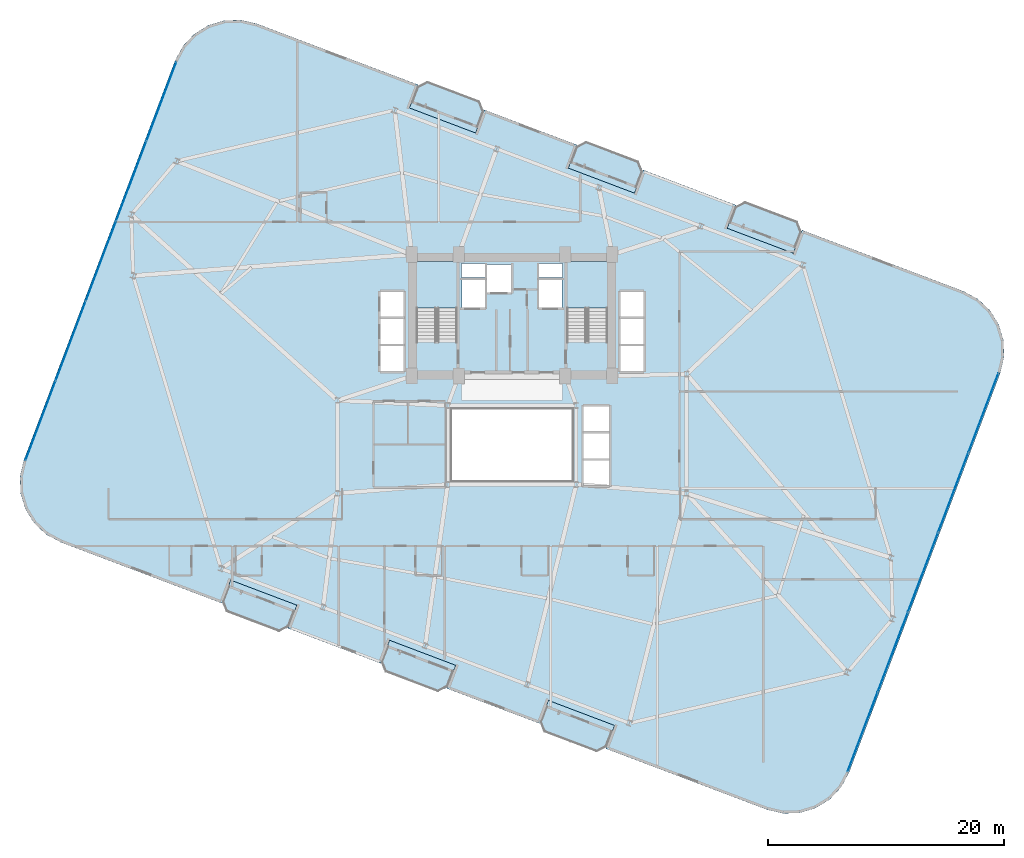
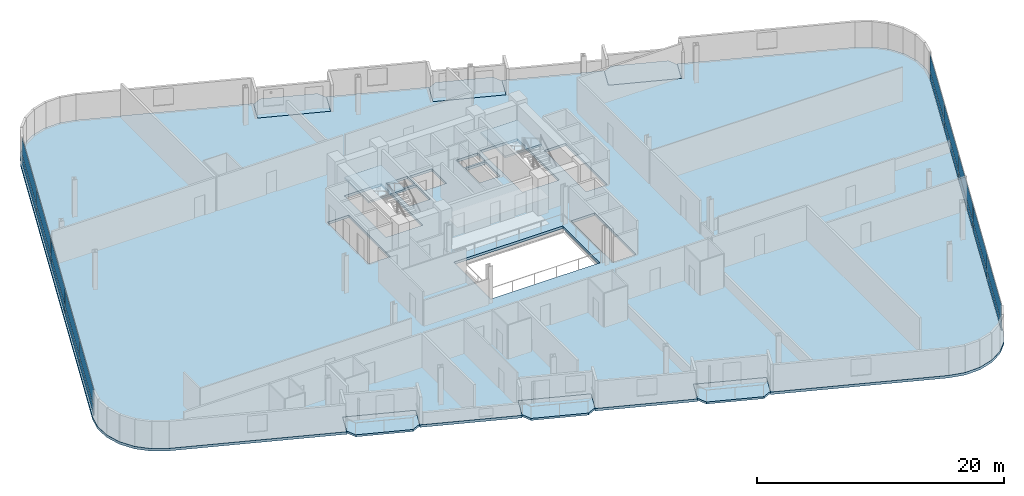
# One storey, part 17 of 25: 20 plates, 9 slabs, 4 elements without a shape of their own.
"""IFC4 building model written with IfcOpenShell, lengths in metres."""

from ifc_helpers import new_model, si_unit, direction, frame, origin, origin_2d, place, context, subcontext, project, spatial, polyline, rectangle, outline, extrude, source, transform, mapped, material, layer, layer_set, type_object, element, aggregate, save


model = new_model("IFC4")

# Units and contexts
model_context = context("Model", 3, precision=1e-05, world=origin(), true_north=direction((0.0, 1.0)))
body_context = subcontext(model_context, "Body", "Model", "MODEL_VIEW")
ifc_project = project(units=[si_unit("LENGTHUNIT", "METRE"), si_unit("AREAUNIT", "SQUARE_METRE"), si_unit("VOLUMEUNIT", "CUBIC_METRE"), si_unit("PLANEANGLEUNIT", "RADIAN"), si_unit("MASSUNIT", "GRAM", prefix="KILO")], contexts=[model_context])

# Site, building, storey
site_placement = place(None, origin())
site = spatial("IfcSite", under=ifc_project, at=site_placement, CompositionType="ELEMENT")
building_placement = place(site_placement, origin())
building = spatial("IfcBuilding", under=site, at=building_placement, Name="Varnelok Gate Tower", CompositionType="ELEMENT")
storey_placement = place(building_placement, frame((0.0, 0.0, 113.199951171875)))
storey = spatial("IfcBuildingStorey", under=building, at=storey_placement, Name="L28", CompositionType="ELEMENT", Elevation=113.199951171875)

# Slabs
ifc_material_1 = material(Name="Concrete C45/55", Category="concrete")
ifc_layer_1 = layer(ifc_material_1, 0.199951171875)
ifc_layer_set_1 = layer_set([ifc_layer_1], Name="Concrete C45/55")
slab_type_1 = type_object("IfcSlabType", Name="SLB-BALC-200", PredefinedType="FLOOR", material=ifc_layer_set_1)
slab_1_placement = place(storey_placement, frame((0.0, 0.0, -0.199951171875)))
element("IfcSlab", 1, at=slab_1_placement, inside=storey, type_object=slab_type_1, Name="L28 South Hollow Balcony 1", PredefinedType="FLOOR", context=body_context, shape_type="SweptSolid", body=[
    extrude(outline(polyline([(14.64208984375, 9.576416015625), (15.019775390625, 8.738525390625), (19.415283203125, 7.074462890625), (20.25341796875, 7.4521484375), (20.96142578125, 9.322509765625), (15.35009765625, 11.447021484375), (14.64208984375, 9.576416015625)])), origin(), (0.0, 0.0, 1.0), 0.199951171875),
])
slab_2_placement = place(storey_placement, frame((0.0, 0.0, -0.199951171875)))
element("IfcSlab", 2, at=slab_2_placement, inside=storey, type_object=slab_type_1, Name="L28 South Hollow Balcony 2", PredefinedType="FLOOR", context=body_context, shape_type="SweptSolid", body=[
    extrude(outline(polyline([(28.109375, 4.47802734375), (28.487060546875, 3.639892578125), (32.882568359375, 1.975830078125), (33.720703125, 2.353515625), (34.4287109375, 4.22412109375), (28.8173828125, 6.348388671875), (28.109375, 4.47802734375)])), origin(), (0.0, 0.0, 1.0), 0.199951171875),
])
slab_3_placement = place(storey_placement, frame((0.0, 0.0, -0.199951171875)))
element("IfcSlab", 3, at=slab_3_placement, inside=storey, type_object=slab_type_1, Name="L28 South Hollow Balcony 3", PredefinedType="FLOOR", context=body_context, shape_type="SweptSolid", body=[
    extrude(outline(polyline([(41.576416015625, -0.62060546875), (41.9541015625, -1.45849609375), (46.349853515625, -3.12255859375), (47.187744140625, -2.744873046875), (47.89599609375, -0.87451171875), (42.28466796875, 1.25), (41.576416015625, -0.62060546875)])), origin(), (0.0, 0.0, 1.0), 0.199951171875),
])
slab_4_placement = place(storey_placement, frame((0.0, 0.0, -0.199951171875)))
element("IfcSlab", 4, at=slab_4_placement, inside=storey, type_object=slab_type_1, Name="L28 North Hollow Balcony 1", PredefinedType="FLOOR", context=body_context, shape_type="SweptSolid", body=[
    extrude(outline(polyline([(30.504150390625, 51.474365234375), (36.115478515625, 49.35009765625), (36.823486328125, 51.220458984375), (36.44580078125, 52.05859375), (32.05029296875, 53.72265625), (31.212158203125, 53.344970703125), (30.504150390625, 51.474365234375)])), origin(), (0.0, 0.0, 1.0), 0.199951171875),
])
slab_5_placement = place(storey_placement, frame((0.0, 0.0, -0.199951171875)))
element("IfcSlab", 5, at=slab_5_placement, inside=storey, type_object=slab_type_1, Name="L28 North Hollow Balcony 2", PredefinedType="FLOOR", context=body_context, shape_type="SweptSolid", body=[
    extrude(outline(polyline([(43.97119140625, 46.3759765625), (49.58251953125, 44.251708984375), (50.290771484375, 46.1220703125), (49.9130859375, 46.9599609375), (45.517333984375, 48.6240234375), (44.679443359375, 48.246337890625), (43.97119140625, 46.3759765625)])), origin(), (0.0, 0.0, 1.0), 0.199951171875),
])
slab_6_placement = place(storey_placement, frame((0.0, 0.0, -0.199951171875)))
element("IfcSlab", 6, at=slab_6_placement, inside=storey, type_object=slab_type_1, Name="L28 North Hollow Balcony 3", PredefinedType="FLOOR", context=body_context, shape_type="SweptSolid", body=[
    extrude(outline(polyline([(57.4384765625, 41.27734375), (63.0498046875, 39.153076171875), (63.7578125, 41.0234375), (63.380126953125, 41.861572265625), (58.984619140625, 43.525634765625), (58.146484375, 43.14794921875), (57.4384765625, 41.27734375)])), origin(), (0.0, 0.0, 1.0), 0.199951171875),
])

# Stair, slab
ifc_material_2 = material(Name="Concrete C50/60", Category="concrete")
stair_type = type_object("IfcStairType", Name="STR-CORE-1650", PredefinedType="HALF_TURN_STAIR", material=ifc_material_2)
stair_1_placement = place(storey_placement, origin())
stair_1 = element("IfcStair", 7, at=stair_1_placement, inside=storey, type_object=stair_type, Name="L28 Exit Stair ST-1", PredefinedType="HALF_TURN_STAIR")
ifc_layer_2 = layer(ifc_material_1, 0.199951171875)
ifc_layer_set_2 = layer_set([ifc_layer_2], Name="Concrete C45/55")
slab_type_2 = type_object("IfcSlabType", Name="SLB-LAND-200", PredefinedType="LANDING", material=ifc_layer_set_2)
slab_7_placement = place(storey_placement, frame((0.0, 0.0, 1.650146484375)))
slab_7 = element("IfcSlab", 8, at=slab_7_placement, type_object=slab_type_2, Name="ST-1 landing 1", PredefinedType="LANDING", context=body_context, shape_type="SweptSolid", body=[
    extrude(outline(polyline([(34.550048828125, 34.5), (34.550048828125, 38.449951171875), (31.10009765625, 38.449951171875), (31.10009765625, 34.5), (34.550048828125, 34.5)])), origin(), (0.0, 0.0, 1.0), 0.199951171875),
])
aggregate(stair_1, [slab_7])

stair_2_placement = place(storey_placement, origin())
stair_2 = element("IfcStair", 9, at=stair_2_placement, inside=storey, type_object=stair_type, Name="L28 Exit Stair ST-2", PredefinedType="HALF_TURN_STAIR")
slab_8_placement = place(storey_placement, frame((0.0, 0.0, 1.650146484375)))
slab_8 = element("IfcSlab", 10, at=slab_8_placement, type_object=slab_type_2, Name="ST-2 landing 1", PredefinedType="LANDING", context=body_context, shape_type="SweptSolid", body=[
    extrude(outline(polyline([(47.300048828125, 34.5), (47.300048828125, 38.449951171875), (43.85009765625, 38.449951171875), (43.85009765625, 34.5), (47.300048828125, 34.5)])), origin(), (0.0, 0.0, 1.0), 0.199951171875),
])
aggregate(stair_2, [slab_8])

# Slab
ifc_layer_3 = layer(ifc_material_2, 0.25)
ifc_layer_set_3 = layer_set([ifc_layer_3], Name="Concrete C50/60")
slab_type_3 = type_object("IfcSlabType", Name="SLB-TYP-250", PredefinedType="FLOOR", material=ifc_layer_set_3)
slab_9_placement = place(storey_placement, frame((0.0, 0.0, -0.25)))
element("IfcSlab", 11, at=slab_9_placement, inside=storey, type_object=slab_type_3, Name="L28 Structural Floor Slab", PredefinedType="FLOOR", context=body_context, shape_type="SweptSolid", body=[
    extrude(outline(polyline([(-2.185791015625, 21.614501953125), (-2.508544921875, 20.2421875), (-2.465087890625, 18.833251953125), (-2.05859375, 17.4833984375), (-1.31640625, 16.284912109375), (-0.28955078125, 15.319091796875), (0.952392578125, 14.65234375), (12.05029296875, 10.45068359375), (14.606689453125, 9.48291015625), (15.35009765625, 11.447021484375), (20.96142578125, 9.322509765625), (20.218017578125, 7.358642578125), (28.073974609375, 4.384521484375), (28.8173828125, 6.348388671875), (34.4287109375, 4.22412109375), (33.685302734375, 2.260009765625), (41.541015625, -0.714111328125), (42.28466796875, 1.25), (47.89599609375, -0.87451171875), (47.15234375, -2.83837890625), (49.708740234375, -3.80615234375), (60.806640625, -8.0078125), (62.1787109375, -8.33056640625), (63.587890625, -8.287109375), (64.937744140625, -7.880615234375), (66.13623046875, -7.138427734375), (67.101806640625, -6.111328125), (67.768798828125, -4.869384765625), (80.585693359375, 28.985595703125), (80.90869140625, 30.35791015625), (80.865234375, 31.766845703125), (80.45849609375, 33.11669921875), (79.716552734375, 34.315185546875), (78.689453125, 35.28076171875), (77.447509765625, 35.94775390625), (66.349609375, 40.1494140625), (63.793212890625, 41.116943359375), (63.0498046875, 39.153076171875), (57.4384765625, 41.27734375), (58.181884765625, 43.241455078125), (50.326171875, 46.215576171875), (49.58251953125, 44.251708984375), (43.97119140625, 46.3759765625), (44.71484375, 48.33984375), (36.85888671875, 51.31396484375), (36.115478515625, 49.35009765625), (30.504150390625, 51.474365234375), (31.24755859375, 53.4384765625), (28.69140625, 54.40625), (17.593505859375, 58.607666015625), (16.22119140625, 58.930419921875), (14.81201171875, 58.886962890625), (13.46240234375, 58.48046875), (12.263916015625, 57.73828125), (11.298095703125, 56.71142578125), (10.631103515625, 55.469482421875), (-2.185791015625, 21.614501953125)]), holes=[polyline([(34.550048828125, 31.679931640625), (34.550048828125, 38.449951171875), (31.10009765625, 38.449951171875), (31.10009765625, 31.679931640625), (34.550048828125, 31.679931640625)]), polyline([(47.300048828125, 31.679931640625), (47.300048828125, 38.449951171875), (43.85009765625, 38.449951171875), (43.85009765625, 31.679931640625), (47.300048828125, 31.679931640625)]), polyline([(34.949951171875, 34.550048828125), (36.89990234375, 34.550048828125), (36.89990234375, 36.89990234375), (34.949951171875, 36.89990234375), (34.949951171875, 34.550048828125)]), polyline([(41.5, 34.550048828125), (43.449951171875, 34.550048828125), (43.449951171875, 36.89990234375), (41.5, 36.89990234375), (41.5, 34.550048828125)]), polyline([(37.050048828125, 35.85009765625), (39.14990234375, 35.85009765625), (39.14990234375, 38.199951171875), (37.050048828125, 38.199951171875), (37.050048828125, 35.85009765625)]), polyline([(28.050048828125, 29.14990234375), (30.050048828125, 29.14990234375), (30.050048828125, 35.89990234375), (28.050048828125, 35.89990234375), (28.050048828125, 29.14990234375)]), polyline([(48.35009765625, 29.14990234375), (50.35009765625, 29.14990234375), (50.35009765625, 35.89990234375), (48.35009765625, 35.89990234375), (48.35009765625, 29.14990234375)]), polyline([(45.25, 19.449951171875), (47.449951171875, 19.449951171875), (47.449951171875, 26.199951171875), (45.25, 26.199951171875), (45.25, 19.449951171875)]), polyline([(34.919921875, 37.080078125), (36.89990234375, 37.080078125), (36.89990234375, 38.280029296875), (34.919921875, 38.280029296875), (34.919921875, 37.080078125)]), polyline([(41.5, 37.080078125), (43.47998046875, 37.080078125), (43.47998046875, 38.280029296875), (41.5, 38.280029296875), (41.5, 37.080078125)]), polyline([(34.10009765625, 19.89990234375), (44.300048828125, 19.89990234375), (44.300048828125, 25.89990234375), (34.10009765625, 25.89990234375), (34.10009765625, 19.89990234375)])]), origin(), (0.0, 0.0, 1.0), 0.25),
])

# Curtain wall, plates
ifc_material_3 = material(Name="Anodized Aluminum Alloy 6063-T6", Category="aluminium")
ifc_layer_4 = layer(ifc_material_3, 0.179931640625)
ifc_layer_set_4 = layer_set([ifc_layer_4], Name="Anodized Aluminum Alloy 6063-T6")
curtain_wall_type = type_object("IfcCurtainWallType", Name="CW3-HOTEL-VISION", PredefinedType="USERDEFINED", material=ifc_layer_set_4)
curtain_wall_1_placement = place(storey_placement, origin())
curtain_wall_1 = element("IfcCurtainWall", 12, at=curtain_wall_1_placement, inside=storey, type_object=curtain_wall_type, Name="L28 West End Vision Curtain Wall", ObjectType="UNITISED CURTAIN WALL", PredefinedType="USERDEFINED")
ifc_material_4 = material(Name="Low-E Laminated Double Glazing IGU", Category="glass")
ifc_layer_5 = layer(ifc_material_4, 0.031982421875)
ifc_layer_set_5 = layer_set([ifc_layer_5], Name="Low-E Laminated Double Glazing IGU")
plate_type = type_object("IfcPlateType", Name="CW-PNL-IGU32", PredefinedType="CURTAIN_PANEL", material=ifc_layer_set_5)
shared_shape_1 = source(origin(), body_context, "Body", "SweptSolid", [
    extrude(rectangle(XDim=7.142578125, YDim=0.031982421875, at=origin_2d()), origin(), (0.0, 0.0, 1.0), 0.802490234375),
])
plate_1_placement = place(storey_placement, frame((-0.767333984375, 24.965576171875, 0.06494140625), z_axis=(0.0, 0.0, 1.0), x_axis=(0.354063660545, 0.935221323688, 0.0)))
plate_1 = element("IfcPlate", 13, at=plate_1_placement, type_object=plate_type, Name="CW3 panel 1.1", PredefinedType="CURTAIN_PANEL", context=body_context, shape_type="MappedRepresentation", body=[
    mapped(shared_shape_1, transform((0.0, 0.0, 0.0), scale=1.0)),
])
plate_2_placement = place(storey_placement, frame((9.474853515625, 52.019287109375, 0.06494140625), z_axis=(0.0, 0.0, 1.0), x_axis=(0.354063660545, 0.935221323688, 0.0)))
plate_2 = element("IfcPlate", 14, at=plate_2_placement, type_object=plate_type, Name="CW3 panel 5.1", PredefinedType="CURTAIN_PANEL", context=body_context, shape_type="MappedRepresentation", body=[
    mapped(shared_shape_1, transform((0.0, 0.0, 0.0), scale=1.0)),
])

curtain_wall_2_placement = place(storey_placement, origin())
curtain_wall_2 = element("IfcCurtainWall", 15, at=curtain_wall_2_placement, inside=storey, type_object=curtain_wall_type, Name="L28 East End Vision Curtain Wall", ObjectType="UNITISED CURTAIN WALL", PredefinedType="USERDEFINED")
plate_3_placement = place(storey_placement, frame((79.16748046875, 25.634521484375, 0.06494140625), z_axis=(0.0, 0.0, 1.0), x_axis=(-0.354063660545, -0.935221323688, 0.0)))
plate_3 = element("IfcPlate", 16, at=plate_3_placement, type_object=plate_type, Name="CW3 panel 1.1", PredefinedType="CURTAIN_PANEL", context=body_context, shape_type="MappedRepresentation", body=[
    mapped(shared_shape_1, transform((0.0, 0.0, 0.0), scale=1.0)),
])
plate_4_placement = place(storey_placement, frame((68.92529296875, -1.419189453125, 0.06494140625), z_axis=(0.0, 0.0, 1.0), x_axis=(-0.354063660545, -0.935221323688, 0.0)))
plate_4 = element("IfcPlate", 17, at=plate_4_placement, type_object=plate_type, Name="CW3 panel 5.1", PredefinedType="CURTAIN_PANEL", context=body_context, shape_type="MappedRepresentation", body=[
    mapped(shared_shape_1, transform((0.0, 0.0, 0.0), scale=1.0)),
])

# Plate
shared_shape_2 = source(origin(), body_context, "Body", "SweptSolid", [
    extrude(rectangle(XDim=7.175048828125, YDim=0.031982421875, at=origin_2d()), origin(), (0.0, 0.0, 1.0), 0.802490234375),
])
plate_5_placement = place(storey_placement, frame((1.790283203125, 31.721435546875, 0.06494140625), z_axis=(0.0, 0.0, 1.0), x_axis=(0.354063660545, 0.935221323688, 0.0)))
plate_5 = element("IfcPlate", 18, at=plate_5_placement, type_object=plate_type, Name="CW3 panel 2.1", PredefinedType="CURTAIN_PANEL", context=body_context, shape_type="MappedRepresentation", body=[
    mapped(shared_shape_2, transform((0.0, 0.0, 0.0), scale=1.0)),
])

plate_6_placement = place(storey_placement, frame((4.353759765625, 38.492431640625, 0.06494140625), z_axis=(0.0, 0.0, 1.0), x_axis=(0.354063660545, 0.935221323688, 0.0)))
plate_6 = element("IfcPlate", 19, at=plate_6_placement, type_object=plate_type, Name="CW3 panel 3.1", PredefinedType="CURTAIN_PANEL", context=body_context, shape_type="MappedRepresentation", body=[
    mapped(shared_shape_2, transform((0.0, 0.0, 0.0), scale=1.0)),
])

plate_7_placement = place(storey_placement, frame((6.9169921875, 45.263427734375, 0.06494140625), z_axis=(0.0, 0.0, 1.0), x_axis=(0.354063660545, 0.935221323688, 0.0)))
plate_7 = element("IfcPlate", 20, at=plate_7_placement, type_object=plate_type, Name="CW3 panel 4.1", PredefinedType="CURTAIN_PANEL", context=body_context, shape_type="MappedRepresentation", body=[
    mapped(shared_shape_2, transform((0.0, 0.0, 0.0), scale=1.0)),
])

plate_8_placement = place(storey_placement, frame((76.60986328125, 18.878662109375, 0.06494140625), z_axis=(0.0, 0.0, 1.0), x_axis=(-0.354063660545, -0.935221323688, 0.0)))
plate_8 = element("IfcPlate", 21, at=plate_8_placement, type_object=plate_type, Name="CW3 panel 2.1", PredefinedType="CURTAIN_PANEL", context=body_context, shape_type="MappedRepresentation", body=[
    mapped(shared_shape_2, transform((0.0, 0.0, 0.0), scale=1.0)),
])

plate_9_placement = place(storey_placement, frame((74.04638671875, 12.107666015625, 0.06494140625), z_axis=(0.0, 0.0, 1.0), x_axis=(-0.354063660545, -0.935221323688, 0.0)))
plate_9 = element("IfcPlate", 22, at=plate_9_placement, type_object=plate_type, Name="CW3 panel 3.1", PredefinedType="CURTAIN_PANEL", context=body_context, shape_type="MappedRepresentation", body=[
    mapped(shared_shape_2, transform((0.0, 0.0, 0.0), scale=1.0)),
])

plate_10_placement = place(storey_placement, frame((71.48291015625, 5.336669921875, 0.06494140625), z_axis=(0.0, 0.0, 1.0), x_axis=(-0.354063660545, -0.935221323688, 0.0)))
plate_10 = element("IfcPlate", 23, at=plate_10_placement, type_object=plate_type, Name="CW3 panel 4.1", PredefinedType="CURTAIN_PANEL", context=body_context, shape_type="MappedRepresentation", body=[
    mapped(shared_shape_2, transform((0.0, 0.0, 0.0), scale=1.0)),
])

shared_shape_3 = source(origin(), body_context, "Body", "SweptSolid", [
    extrude(rectangle(XDim=7.142578125, YDim=0.031982421875, at=origin_2d()), origin(), (0.0, 0.0, 1.0), 1.66259765625),
])
plate_11_placement = place(storey_placement, frame((-0.767333984375, 24.965576171875, 0.9326171875), z_axis=(0.0, 0.0, 1.0), x_axis=(0.354063660545, 0.935221323688, 0.0)))
plate_11 = element("IfcPlate", 24, at=plate_11_placement, type_object=plate_type, Name="CW3 panel 1.2", PredefinedType="CURTAIN_PANEL", context=body_context, shape_type="MappedRepresentation", body=[
    mapped(shared_shape_3, transform((0.0, 0.0, 0.0), scale=1.0)),
])

plate_12_placement = place(storey_placement, frame((9.474853515625, 52.019287109375, 0.9326171875), z_axis=(0.0, 0.0, 1.0), x_axis=(0.354063660545, 0.935221323688, 0.0)))
plate_12 = element("IfcPlate", 25, at=plate_12_placement, type_object=plate_type, Name="CW3 panel 5.2", PredefinedType="CURTAIN_PANEL", context=body_context, shape_type="MappedRepresentation", body=[
    mapped(shared_shape_3, transform((0.0, 0.0, 0.0), scale=1.0)),
])

plate_13_placement = place(storey_placement, frame((79.16748046875, 25.634521484375, 0.9326171875), z_axis=(0.0, 0.0, 1.0), x_axis=(-0.354063660545, -0.935221323688, 0.0)))
plate_13 = element("IfcPlate", 26, at=plate_13_placement, type_object=plate_type, Name="CW3 panel 1.2", PredefinedType="CURTAIN_PANEL", context=body_context, shape_type="MappedRepresentation", body=[
    mapped(shared_shape_3, transform((0.0, 0.0, 0.0), scale=1.0)),
])

plate_14_placement = place(storey_placement, frame((68.92529296875, -1.419189453125, 0.9326171875), z_axis=(0.0, 0.0, 1.0), x_axis=(-0.354063660545, -0.935221323688, 0.0)))
plate_14 = element("IfcPlate", 27, at=plate_14_placement, type_object=plate_type, Name="CW3 panel 5.2", PredefinedType="CURTAIN_PANEL", context=body_context, shape_type="MappedRepresentation", body=[
    mapped(shared_shape_3, transform((0.0, 0.0, 0.0), scale=1.0)),
])

shared_shape_4 = source(origin(), body_context, "Body", "SweptSolid", [
    extrude(rectangle(XDim=7.175048828125, YDim=0.031982421875, at=origin_2d()), origin(), (0.0, 0.0, 1.0), 1.66259765625),
])
plate_15_placement = place(storey_placement, frame((1.790283203125, 31.721435546875, 0.9326171875), z_axis=(0.0, 0.0, 1.0), x_axis=(0.354063660545, 0.935221323688, 0.0)))
plate_15 = element("IfcPlate", 28, at=plate_15_placement, type_object=plate_type, Name="CW3 panel 2.2", PredefinedType="CURTAIN_PANEL", context=body_context, shape_type="MappedRepresentation", body=[
    mapped(shared_shape_4, transform((0.0, 0.0, 0.0), scale=1.0)),
])

plate_16_placement = place(storey_placement, frame((4.353759765625, 38.492431640625, 0.9326171875), z_axis=(0.0, 0.0, 1.0), x_axis=(0.354063660545, 0.935221323688, 0.0)))
plate_16 = element("IfcPlate", 29, at=plate_16_placement, type_object=plate_type, Name="CW3 panel 3.2", PredefinedType="CURTAIN_PANEL", context=body_context, shape_type="MappedRepresentation", body=[
    mapped(shared_shape_4, transform((0.0, 0.0, 0.0), scale=1.0)),
])

plate_17_placement = place(storey_placement, frame((6.9169921875, 45.263427734375, 0.9326171875), z_axis=(0.0, 0.0, 1.0), x_axis=(0.354063660545, 0.935221323688, 0.0)))
plate_17 = element("IfcPlate", 30, at=plate_17_placement, type_object=plate_type, Name="CW3 panel 4.2", PredefinedType="CURTAIN_PANEL", context=body_context, shape_type="MappedRepresentation", body=[
    mapped(shared_shape_4, transform((0.0, 0.0, 0.0), scale=1.0)),
])

aggregate(curtain_wall_1, [plate_1, plate_11, plate_5, plate_15, plate_6, plate_16, plate_7, plate_17, plate_2, plate_12])

plate_18_placement = place(storey_placement, frame((76.60986328125, 18.878662109375, 0.9326171875), z_axis=(0.0, 0.0, 1.0), x_axis=(-0.354063660545, -0.935221323688, 0.0)))
plate_18 = element("IfcPlate", 31, at=plate_18_placement, type_object=plate_type, Name="CW3 panel 2.2", PredefinedType="CURTAIN_PANEL", context=body_context, shape_type="MappedRepresentation", body=[
    mapped(shared_shape_4, transform((0.0, 0.0, 0.0), scale=1.0)),
])

plate_19_placement = place(storey_placement, frame((74.04638671875, 12.107666015625, 0.9326171875), z_axis=(0.0, 0.0, 1.0), x_axis=(-0.354063660545, -0.935221323688, 0.0)))
plate_19 = element("IfcPlate", 32, at=plate_19_placement, type_object=plate_type, Name="CW3 panel 3.2", PredefinedType="CURTAIN_PANEL", context=body_context, shape_type="MappedRepresentation", body=[
    mapped(shared_shape_4, transform((0.0, 0.0, 0.0), scale=1.0)),
])

plate_20_placement = place(storey_placement, frame((71.48291015625, 5.336669921875, 0.9326171875), z_axis=(0.0, 0.0, 1.0), x_axis=(-0.354063660545, -0.935221323688, 0.0)))
plate_20 = element("IfcPlate", 33, at=plate_20_placement, type_object=plate_type, Name="CW3 panel 4.2", PredefinedType="CURTAIN_PANEL", context=body_context, shape_type="MappedRepresentation", body=[
    mapped(shared_shape_4, transform((0.0, 0.0, 0.0), scale=1.0)),
])

aggregate(curtain_wall_2, [plate_3, plate_13, plate_8, plate_18, plate_9, plate_19, plate_10, plate_20, plate_4, plate_14])

save(model, "model.ifc")
